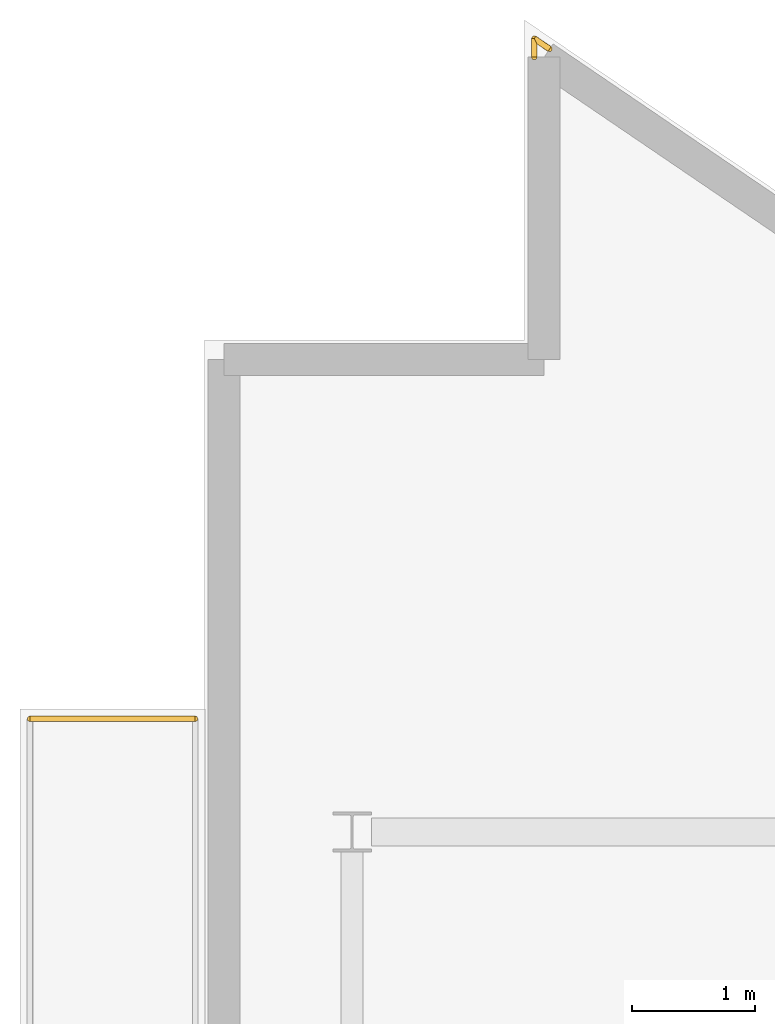
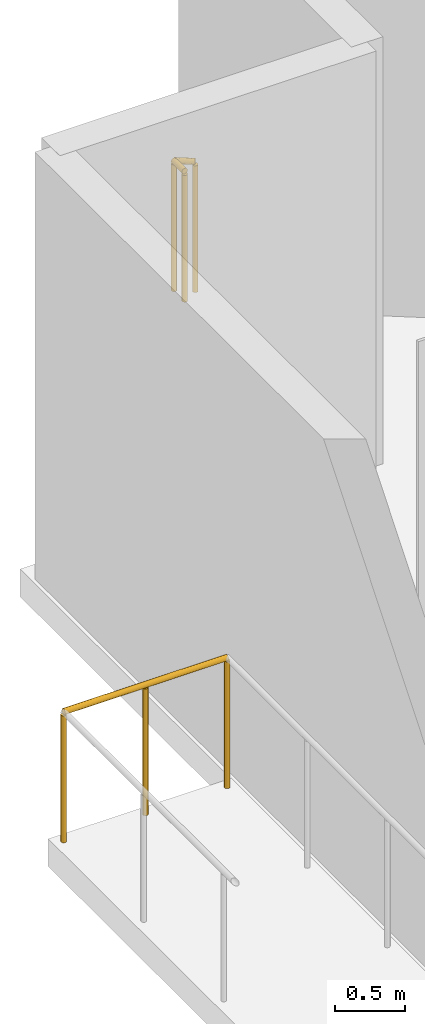
# One storey, part 19 of 20: 3 railings.
"""IFC4 building model written with IfcOpenShell, lengths in metres."""

from ifc_helpers import new_model, si_unit, direction, frame, origin, origin_2d, place, context, subcontext, project, spatial, circle, extrude, material, type_object, element, save


model = new_model("IFC4")

# Units and contexts
model_context = context("Model", 3, precision=1e-05, world=origin(), true_north=direction((0.0, 1.0)))
body_context = subcontext(model_context, "Body", "Model", "MODEL_VIEW")
ifc_project = project(units=[si_unit("LENGTHUNIT", "METRE"), si_unit("AREAUNIT", "SQUARE_METRE"), si_unit("VOLUMEUNIT", "CUBIC_METRE"), si_unit("PLANEANGLEUNIT", "RADIAN"), si_unit("MASSUNIT", "GRAM", prefix="KILO")], contexts=[model_context])

# Site, building, storey
site_placement = place(None, origin())
site = spatial("IfcSite", under=ifc_project, at=site_placement, CompositionType="ELEMENT")
building_placement = place(site_placement, origin())
building = spatial("IfcBuilding", under=site, at=building_placement, Name="Varnakote Quay Hospital", CompositionType="ELEMENT")
storey_placement = place(building_placement, frame((0.0, 0.0, 81.75)))
storey = spatial("IfcBuildingStorey", under=building, at=storey_placement, Name="L20", CompositionType="ELEMENT", Elevation=81.75)

# Railings
ifc_material = material(Name="Anodised aluminium 6063-T6 Bronze", Category="aluminium")
railing_type = type_object("IfcRailingType", Name="RLG-EXT-GUARD-1150", PredefinedType="GUARDRAIL", material=ifc_material)
railing_1_placement = place(storey_placement, frame((-1.419921875, 38.1201171875, 0.0)))
element("IfcRailing", 1, at=railing_1_placement, inside=storey, type_object=railing_type, Name="L20 Zigzag Prow Healing Terrace Safety Guard", PredefinedType="GUARDRAIL", context=body_context, shape_type="SweptSolid", body=[
    extrude(circle(Radius=0.02392578125, at=origin_2d()), frame((0.0, 0.0, 1.1259765625), z_axis=(1.0, 0.0, 0.0), x_axis=(0.0, 1.0, 0.0)), (0.0, 0.0, 1.0), 1.343994140625),
    extrude(circle(Radius=0.02099609375, at=origin_2d()), origin(), (0.0, 0.0, 1.0), 1.101806640625),
    extrude(circle(Radius=0.02099609375, at=origin_2d()), frame((0.671875, 0.0, 0.0)), (0.0, 0.0, 1.0), 1.101806640625),
    extrude(circle(Radius=0.02099609375, at=origin_2d()), frame((1.343994140625, 0.0, 0.0)), (0.0, 0.0, 1.0), 1.101806640625),
])
railing_2_placement = place(storey_placement, frame((2.679931640625, 43.497802734375, 0.0)))
element("IfcRailing", 2, at=railing_2_placement, inside=storey, type_object=railing_type, Name="L20 Slab Edge Perimeter Safety Guard", PredefinedType="GUARDRAIL", context=body_context, shape_type="SweptSolid", body=[
    extrude(circle(Radius=0.02392578125, at=origin_2d()), frame((0.0, 0.0, 1.1259765625), z_axis=(0.0, 1.0, 0.0), x_axis=(-1.0, 0.0, 0.0)), (0.0, 0.0, 1.0), 0.151123046875),
    extrude(circle(Radius=0.02099609375, at=origin_2d()), origin(), (0.0, 0.0, 1.0), 1.101806640625),
    extrude(circle(Radius=0.02099609375, at=origin_2d()), frame((0.0, 0.151123046875, 0.0)), (0.0, 0.0, 1.0), 1.101806640625),
])
railing_3_placement = place(storey_placement, frame((2.679931640625, 43.64892578125, 0.0)))
element("IfcRailing", 3, at=railing_3_placement, inside=storey, type_object=railing_type, Name="L20 Slab Edge Perimeter Safety Guard", PredefinedType="GUARDRAIL", context=body_context, shape_type="SweptSolid", body=[
    extrude(circle(Radius=0.02392578125, at=origin_2d()), frame((0.0, 0.0, 1.1259765625), z_axis=(0.827046660574, -0.562133277109, 0.0), x_axis=(0.562133277109, 0.827046660574, 0.0)), (0.0, 0.0, 1.0), 0.151123046875),
    extrude(circle(Radius=0.02099609375, at=origin_2d()), origin(), (0.0, 0.0, 1.0), 1.101806640625),
    extrude(circle(Radius=0.02099609375, at=origin_2d()), frame((0.125, -0.0849609375, 0.0)), (0.0, 0.0, 1.0), 1.101806640625),
])

save(model, "model.ifc")
